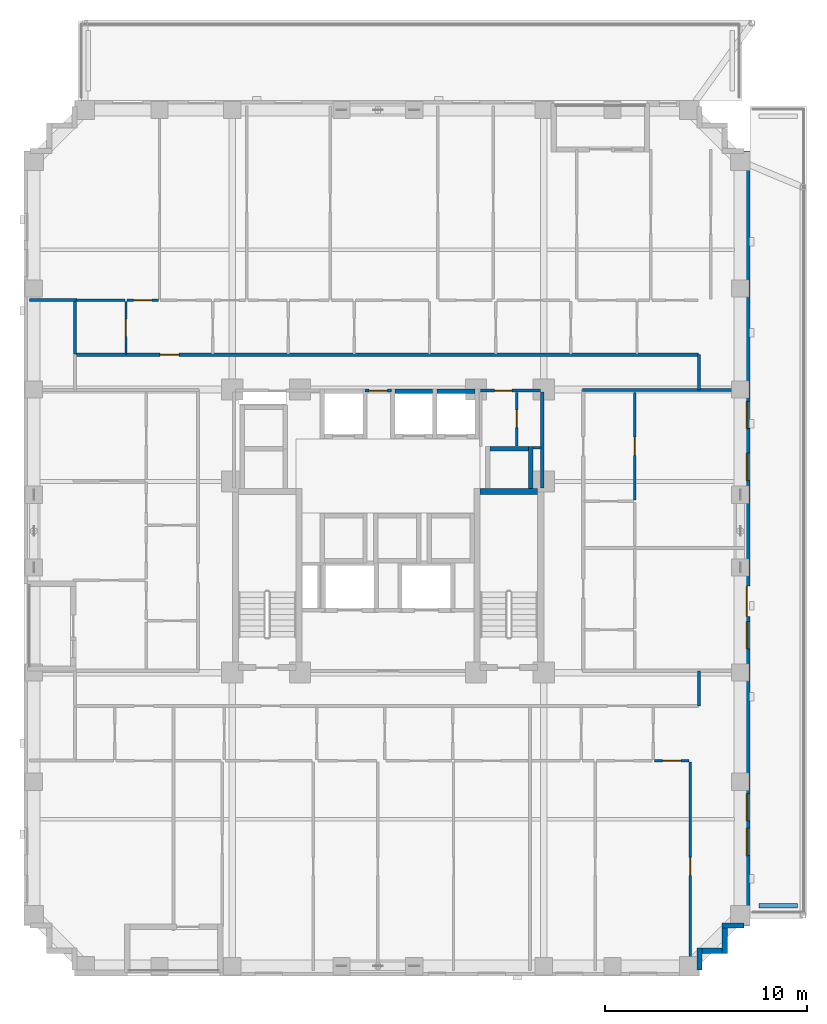
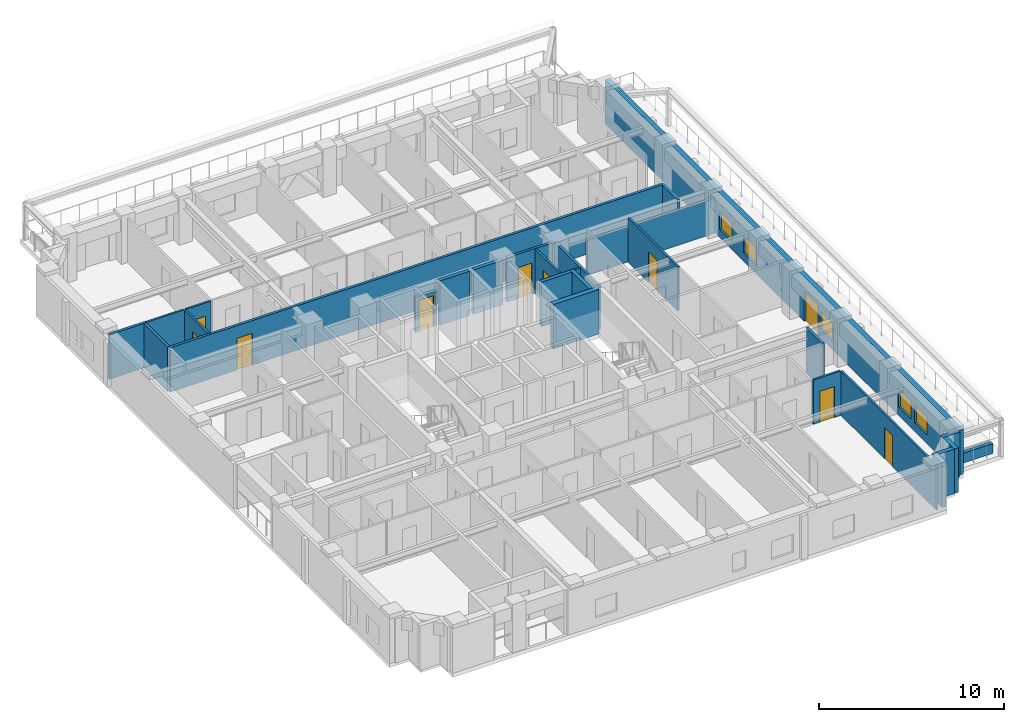
# One storey, part 10 of 16: 28 walls, 10 doors, 5 windows, 15 openings.
"""IFC4 building model written with IfcOpenShell, lengths in metres."""

from ifc_helpers import new_model, si_unit, derived_unit, direction, frame, frame_2d, origin, place, context, subcontext, project, spatial, rectangle, extrude, material, layer, layer_set, type_object, element, fill, save


model = new_model("IFC4")

# Units and contexts
model_context = context("Model", 3, precision=1e-05, world=origin(), true_north=direction((0.0, 1.0)))
body_context = subcontext(model_context, "Body", "Model", "MODEL_VIEW")
ifc_project = project(units=[si_unit("LENGTHUNIT", "METRE"), si_unit("AREAUNIT", "SQUARE_METRE"), si_unit("VOLUMEUNIT", "CUBIC_METRE"), si_unit("PLANEANGLEUNIT", "RADIAN"), si_unit("MASSUNIT", "GRAM", prefix="KILO"), derived_unit("THERMALTRANSMITTANCEUNIT", [(si_unit("MASSUNIT", "GRAM", prefix="KILO"), 1), (si_unit("TIMEUNIT", "SECOND"), -3), (si_unit("THERMODYNAMICTEMPERATUREUNIT", "KELVIN"), -1)])], contexts=[model_context])

# Site, building, storey
site_placement = place(None, origin())
site = spatial("IfcSite", under=ifc_project, at=site_placement, CompositionType="ELEMENT")
building_placement = place(site_placement, origin())
building = spatial("IfcBuilding", under=site, at=building_placement, Name="Korrvale Station Residences", CompositionType="ELEMENT")
storey_placement = place(building_placement, frame((0.0, 0.0, 75.10009765625)))
storey = spatial("IfcBuildingStorey", under=building, at=storey_placement, Name="L20", CompositionType="ELEMENT", Elevation=75.10009765625)

# Walls
ifc_material_1 = material(Name="Concrete C60/75", Category="concrete")
ifc_layer_1 = layer(ifc_material_1, 0.300048828125, Name="Concrete C60/75")
ifc_layer_set_1 = layer_set([ifc_layer_1], Name="Concrete C60/75")
wall_type_1 = type_object("IfcWallType", Name="WAL-CORE-300-C60", PredefinedType="SHEAR", material=ifc_layer_set_1)
wall_1_placement = place(storey_placement, frame((30.050048828125, 23.949951171875, 0.0), z_axis=(0.0, 0.0, 1.0), x_axis=(1.0, 0.0, 0.0)))
element("IfcWall", 1, at=wall_1_placement, inside=storey, type_object=wall_type_1, Name="L20 ST-2 Core Shear Wall North", PredefinedType="SHEAR", context=body_context, shape_type="SweptSolid", body=[
    extrude(rectangle(XDim=2.849853515625, YDim=0.300048828125, at=frame_2d((1.4248046875, 0.0))), origin(), (0.0, 0.0, 1.0), 2.93994140625),
])
ifc_material_2 = material(Name="Precast concrete C45/55", Category="concrete")
ifc_layer_2 = layer(ifc_material_2, 0.260009765625, Name="Precast concrete C45/55")
ifc_layer_set_2 = layer_set([ifc_layer_2], Name="Precast concrete C45/55")
wall_type_2 = type_object("IfcWallType", Name="WAL-EXT-LOG260", PredefinedType="SOLIDWALL", material=ifc_layer_set_2)
wall_2_placement = place(storey_placement, frame((43.097900390625, 2.5, 0.0), z_axis=(0.0, 0.0, 1.0), x_axis=(-1.0, 0.0, 0.0)))
element("IfcWall", 2, at=wall_2_placement, inside=storey, type_object=wall_type_2, Name="L20 Serrated Corner Precast Step SE-1", PredefinedType="SOLIDWALL", context=body_context, shape_type="SweptSolid", body=[
    extrude(rectangle(XDim=1.077880859375, YDim=0.260009765625, at=frame_2d((0.5390625, 0.0))), origin(), (0.0, 0.0, 1.0), 2.93994140625),
])
wall_3_placement = place(storey_placement, frame((42.14990234375, 2.367919921875, 0.0), z_axis=(0.0, 0.0, 1.0), x_axis=(0.0, -1.0, 0.0)))
element("IfcWall", 3, at=wall_3_placement, inside=storey, type_object=wall_type_2, Name="L20 Serrated Corner Precast Step SE-2", PredefinedType="SOLIDWALL", context=body_context, shape_type="SweptSolid", body=[
    extrude(rectangle(XDim=1.247802734375, YDim=0.260009765625, at=frame_2d((0.6240234375, 0.0))), origin(), (0.0, 0.0, 1.0), 2.93994140625),
])
wall_4_placement = place(storey_placement, frame((42.01806640625, 1.25, 0.0), z_axis=(0.0, 0.0, 1.0), x_axis=(-1.0, 0.0, 0.0)))
element("IfcWall", 4, at=wall_4_placement, inside=storey, type_object=wall_type_2, Name="L20 Serrated Corner Precast Step SE-3", PredefinedType="SOLIDWALL", context=body_context, shape_type="SweptSolid", body=[
    extrude(rectangle(XDim=0.986083984375, YDim=0.260009765625, at=frame_2d((0.4931640625, 0.0))), origin(), (0.0, 0.0, 1.0), 2.93994140625),
])
wall_5_placement = place(storey_placement, frame((40.89990234375, 1.3798828125, 0.0), z_axis=(0.0, 0.0, 1.0), x_axis=(0.0, -1.0, 0.0)))
element("IfcWall", 5, at=wall_5_placement, inside=storey, type_object=wall_type_2, Name="L20 Serrated Corner Precast Step SE-4", PredefinedType="SOLIDWALL", context=body_context, shape_type="SweptSolid", body=[
    extrude(rectangle(XDim=1.077880859375, YDim=0.260009765625, at=frame_2d((0.5390625, 0.0))), origin(), (0.0, 0.0, 1.0), 2.93994140625),
])

# Wall, openings, door, windows
ifc_layer_3 = layer(ifc_material_2, 0.300048828125, Name="Precast concrete C45/55")
ifc_layer_set_3 = layer_set([ifc_layer_3], Name="Precast concrete C45/55")
wall_type_3 = type_object("IfcWallType", Name="WAL-EXT-PC300", PredefinedType="SOLIDWALL", material=ifc_layer_set_3)
wall_6_placement = place(storey_placement, frame((43.25, 40.800048828125, 0.0), z_axis=(0.0, 0.0, 1.0), x_axis=(0.0, -1.0, 0.0)))
wall_6 = element("IfcWall", 6, at=wall_6_placement, inside=storey, type_object=wall_type_3, Name="L20 East Exterior Precast Wall 1", PredefinedType="SOLIDWALL", context=body_context, shape_type="SweptSolid", body=[
    extrude(rectangle(XDim=38.300048828125, YDim=0.300048828125, at=frame_2d((19.14990234375, 0.0))), origin(), (0.0, 0.0, 1.0), 2.93994140625),
])
opening_1_placement = place(wall_6_placement, frame((21.52001953125, 0.0, 0.0)))
opening_1 = element("IfcOpeningElement", 7, at=opening_1_placement, cuts=wall_6, Name="Opening TD-01", PredefinedType="OPENING", context=body_context, shape_type="SweptSolid", body=[
    extrude(rectangle(XDim=1.5, YDim=1.98193359375, at=frame_2d((0.75, 0.990966796875))), frame((0.0, 0.16015625, 0.0), z_axis=(0.0, -1.0, 0.0), x_axis=(1.0, 0.0, 0.0)), (0.0, 0.0, 1.0), 0.320068359375),
])
opening_2_placement = place(wall_6_placement, frame((33.4951171875, 0.0, 0.550048828125)))
opening_2 = element("IfcOpeningElement", 8, at=opening_2_placement, cuts=wall_6, Name="Opening W-10", PredefinedType="OPENING", context=body_context, shape_type="SweptSolid", body=[
    extrude(rectangle(XDim=1.35009765625, YDim=1.199951171875, at=frame_2d((0.675048828125, 0.60009765625))), frame((0.0, 0.16015625, 0.0), z_axis=(0.0, -1.0, 0.0), x_axis=(1.0, 0.0, 0.0)), (0.0, 0.0, 1.0), 0.320068359375),
])
opening_3_placement = place(wall_6_placement, frame((31.784912109375, 0.0, 0.550048828125)))
opening_3 = element("IfcOpeningElement", 9, at=opening_3_placement, cuts=wall_6, Name="Opening W-10", PredefinedType="OPENING", context=body_context, shape_type="SweptSolid", body=[
    extrude(rectangle(XDim=1.35009765625, YDim=1.199951171875, at=frame_2d((0.675048828125, 0.60009765625))), frame((0.0, 0.16015625, 0.0), z_axis=(0.0, -1.0, 0.0), x_axis=(1.0, 0.0, 0.0)), (0.0, 0.0, 1.0), 0.320068359375),
])
opening_4_placement = place(wall_6_placement, frame((23.280029296875, 0.0, 0.550048828125)))
opening_4 = element("IfcOpeningElement", 10, at=opening_4_placement, cuts=wall_6, Name="Opening W-10", PredefinedType="OPENING", context=body_context, shape_type="SweptSolid", body=[
    extrude(rectangle(XDim=1.35009765625, YDim=1.199951171875, at=frame_2d((0.675048828125, 0.60009765625))), frame((0.0, 0.16015625, 0.0), z_axis=(0.0, -1.0, 0.0), x_axis=(1.0, 0.0, 0.0)), (0.0, 0.0, 1.0), 0.320068359375),
])
opening_5_placement = place(wall_6_placement, frame((14.949951171875, 0.0, 0.550048828125)))
opening_5 = element("IfcOpeningElement", 11, at=opening_5_placement, cuts=wall_6, Name="Opening W-10", PredefinedType="OPENING", context=body_context, shape_type="SweptSolid", body=[
    extrude(rectangle(XDim=1.35009765625, YDim=1.199951171875, at=frame_2d((0.675048828125, 0.60009765625))), frame((0.0, 0.16015625, 0.0), z_axis=(0.0, -1.0, 0.0), x_axis=(1.0, 0.0, 0.0)), (0.0, 0.0, 1.0), 0.320068359375),
])
opening_6_placement = place(wall_6_placement, frame((12.385009765625, 0.0, 0.550048828125)))
opening_6 = element("IfcOpeningElement", 12, at=opening_6_placement, cuts=wall_6, Name="Opening W-10", PredefinedType="OPENING", context=body_context, shape_type="SweptSolid", body=[
    extrude(rectangle(XDim=1.35009765625, YDim=1.199951171875, at=frame_2d((0.675048828125, 0.60009765625))), frame((0.0, 0.16015625, 0.0), z_axis=(0.0, -1.0, 0.0), x_axis=(1.0, 0.0, 0.0)), (0.0, 0.0, 1.0), 0.320068359375),
])
ifc_material_3 = material(Name="Exterior thermally broken aluminium glazed terrace double door", Category="aluminium")
door_type_1 = type_object("IfcDoorType", Name="DR-EXT-TER", OperationType="DOUBLE_SWING_LEFT", PredefinedType="DOOR", material=ifc_material_3)
door_1_placement = place(opening_1_placement, origin())
door_1 = element("IfcDoor", 13, at=door_1_placement, inside=storey, type_object=door_type_1, Name="L20 East Setback Terrace Door", OperationType="DOUBLE_SWING_LEFT", OverallHeight=1.98193359375, OverallWidth=1.5, PredefinedType="DOOR", context=body_context, shape_type="SweptSolid", body=[
    extrude(rectangle(XDim=1.5, YDim=1.98193359375, at=frame_2d((0.75, 0.990966796875))), frame((0.0, 0.02490234375, 0.0), z_axis=(0.0, -1.0, 0.0), x_axis=(1.0, 0.0, 0.0)), (0.0, 0.0, 1.0), 0.050048828125),
])
fill(opening_1, door_1)
ifc_material_4 = material(Name="Thermally broken aluminium frame with triple low-e glazing", Category="aluminium")
window_type = type_object("IfcWindowType", Name="WIN-W10", PartitioningType="SINGLE_PANEL", PredefinedType="WINDOW", material=ifc_material_4)
window_1_placement = place(opening_2_placement, origin())
window_1 = element("IfcWindow", 14, at=window_1_placement, inside=storey, type_object=window_type, Name="L20 Punched Window 08", OverallHeight=1.199951171875, OverallWidth=1.35009765625, PartitioningType="SINGLE_PANEL", PredefinedType="WINDOW", context=body_context, shape_type="SweptSolid", body=[
    extrude(rectangle(XDim=1.35009765625, YDim=1.199951171875, at=frame_2d((0.675048828125, 0.60009765625))), frame((0.0, 0.030029296875, 0.0), z_axis=(0.0, -1.0, 0.0), x_axis=(1.0, 0.0, 0.0)), (0.0, 0.0, 1.0), 0.06005859375),
])
fill(opening_2, window_1)
window_2_placement = place(opening_3_placement, origin())
window_2 = element("IfcWindow", 15, at=window_2_placement, inside=storey, type_object=window_type, Name="L20 Punched Window 09", OverallHeight=1.199951171875, OverallWidth=1.35009765625, PartitioningType="SINGLE_PANEL", PredefinedType="WINDOW", context=body_context, shape_type="SweptSolid", body=[
    extrude(rectangle(XDim=1.35009765625, YDim=1.199951171875, at=frame_2d((0.675048828125, 0.60009765625))), frame((0.0, 0.030029296875, 0.0), z_axis=(0.0, -1.0, 0.0), x_axis=(1.0, 0.0, 0.0)), (0.0, 0.0, 1.0), 0.06005859375),
])
fill(opening_3, window_2)
window_3_placement = place(opening_4_placement, origin())
window_3 = element("IfcWindow", 16, at=window_3_placement, inside=storey, type_object=window_type, Name="L20 Punched Window 19", OverallHeight=1.199951171875, OverallWidth=1.35009765625, PartitioningType="SINGLE_PANEL", PredefinedType="WINDOW", context=body_context, shape_type="SweptSolid", body=[
    extrude(rectangle(XDim=1.35009765625, YDim=1.199951171875, at=frame_2d((0.675048828125, 0.60009765625))), frame((0.0, 0.030029296875, 0.0), z_axis=(0.0, -1.0, 0.0), x_axis=(1.0, 0.0, 0.0)), (0.0, 0.0, 1.0), 0.06005859375),
])
fill(opening_4, window_3)
window_4_placement = place(opening_5_placement, origin())
window_4 = element("IfcWindow", 17, at=window_4_placement, inside=storey, type_object=window_type, Name="L20 Punched Window 20", OverallHeight=1.199951171875, OverallWidth=1.35009765625, PartitioningType="SINGLE_PANEL", PredefinedType="WINDOW", context=body_context, shape_type="SweptSolid", body=[
    extrude(rectangle(XDim=1.35009765625, YDim=1.199951171875, at=frame_2d((0.675048828125, 0.60009765625))), frame((0.0, 0.030029296875, 0.0), z_axis=(0.0, -1.0, 0.0), x_axis=(1.0, 0.0, 0.0)), (0.0, 0.0, 1.0), 0.06005859375),
])
fill(opening_5, window_4)
window_5_placement = place(opening_6_placement, origin())
window_5 = element("IfcWindow", 18, at=window_5_placement, inside=storey, type_object=window_type, Name="L20 Punched Window 21", OverallHeight=1.199951171875, OverallWidth=1.35009765625, PartitioningType="SINGLE_PANEL", PredefinedType="WINDOW", context=body_context, shape_type="SweptSolid", body=[
    extrude(rectangle(XDim=1.35009765625, YDim=1.199951171875, at=frame_2d((0.675048828125, 0.60009765625))), frame((0.0, 0.030029296875, 0.0), z_axis=(0.0, -1.0, 0.0), x_axis=(1.0, 0.0, 0.0)), (0.0, 0.0, 1.0), 0.06005859375),
])
fill(opening_6, window_5)

# Walls
ifc_layer_4 = layer(ifc_material_2, 0.219970703125, Name="Precast concrete C45/55")
ifc_layer_set_4 = layer_set([ifc_layer_4], Name="Precast concrete C45/55")
wall_type_4 = type_object("IfcWallType", Name="WAL-PAR-220", PredefinedType="PARAPET", material=ifc_layer_set_4)
wall_7_placement = place(storey_placement, frame((43.85009765625, 3.47998046875, 0.0), z_axis=(0.0, 0.0, 1.0), x_axis=(1.0, 0.0, 0.0)))
element("IfcWall", 19, at=wall_7_placement, inside=storey, type_object=wall_type_4, Name="L20 Terrace Planter Parapet TER-L20-E-S", PredefinedType="PARAPET", context=body_context, shape_type="SweptSolid", body=[
    extrude(rectangle(XDim=1.89990234375, YDim=0.219970703125, at=frame_2d((0.949951171875, 0.0))), origin(), (0.0, 0.0, 1.0), 0.64990234375),
])
ifc_material_5 = material(Name="Acoustic steel-stud gypsum board partition", Category="steel")
ifc_layer_5 = layer(ifc_material_5, 0.1201171875, Name="Acoustic steel-stud gypsum board partition")
ifc_layer_set_5 = layer_set([ifc_layer_5], Name="Acoustic steel-stud gypsum board partition")
wall_type_5 = type_object("IfcWallType", Name="WAL-PART-125", PredefinedType="PARTITIONING", material=ifc_layer_set_5)
wall_8_placement = place(storey_placement, frame((32.679931640625, 26.1201171875, 0.0), z_axis=(0.0, 0.0, 1.0), x_axis=(1.0, 0.0, 0.0)))
element("IfcWall", 20, at=wall_8_placement, inside=storey, type_object=wall_type_5, Name="L20 Core Partition CW-CS-S", PredefinedType="PARTITIONING", context=body_context, shape_type="SweptSolid", body=[
    extrude(rectangle(XDim=0.380126953125, YDim=0.1201171875, at=frame_2d((0.18994140625, 0.0))), origin(), (0.0, 0.0, 1.0), 2.93994140625),
])

# Wall, opening, door
wall_9_placement = place(storey_placement, frame((31.860107421875, 26.199951171875, 0.0), z_axis=(0.0, 0.0, 1.0), x_axis=(0.0, 1.0, 0.0)))
wall_9 = element("IfcWall", 21, at=wall_9_placement, inside=storey, type_object=wall_type_5, Name="L20 Core Partition CW-CS-MID", PredefinedType="PARTITIONING", context=body_context, shape_type="SweptSolid", body=[
    extrude(rectangle(XDim=2.66015625, YDim=0.1201171875, at=frame_2d((1.330078125, 0.0))), origin(), (0.0, 0.0, 1.0), 2.93994140625),
])
opening_7_placement = place(wall_9_placement, frame((0.919921875, 0.0, 0.0)))
opening_7 = element("IfcOpeningElement", 22, at=opening_7_placement, cuts=wall_9, Name="Opening DB-860", PredefinedType="OPENING", context=body_context, shape_type="SweptSolid", body=[
    extrude(rectangle(XDim=0.860107421875, YDim=2.050048828125, at=frame_2d((0.43017578125, 1.02490234375))), frame((0.0, 0.070068359375, 0.0), z_axis=(0.0, -1.0, 0.0), x_axis=(1.0, 0.0, 0.0)), (0.0, 0.0, 1.0), 0.14013671875),
])
ifc_material_6 = material(Name="Moisture-resistant solid-core bathroom door", Category="timber")
door_type_2 = type_object("IfcDoorType", Name="DR-BATH-860", OperationType="NOTDEFINED", PredefinedType="DOOR", material=ifc_material_6)
door_2_placement = place(opening_7_placement, origin())
door_2 = element("IfcDoor", 23, at=door_2_placement, inside=storey, type_object=door_type_2, Name="L20 Metering Inner Door", OperationType="SINGLE_SWING_RIGHT", OverallHeight=2.050048828125, OverallWidth=0.860107421875, PredefinedType="DOOR", context=body_context, shape_type="SweptSolid", body=[
    extrude(rectangle(XDim=0.860107421875, YDim=2.050048828125, at=frame_2d((0.43017578125, 1.02490234375))), frame((0.0, 0.02490234375, 0.0), z_axis=(0.0, -1.0, 0.0), x_axis=(1.0, 0.0, 0.0)), (0.0, 0.0, 1.0), 0.050048828125),
])
fill(opening_7, door_2)

wall_10_placement = place(storey_placement, frame((38.676025390625, 10.64990234375, 0.0), z_axis=(0.0, 0.0, 1.0), x_axis=(1.0, 0.0, 0.0)))
wall_10 = element("IfcWall", 24, at=wall_10_placement, inside=storey, type_object=wall_type_5, Name="L20 Suite Partition U03-H24", PredefinedType="PARTITIONING", context=body_context, shape_type="SweptSolid", body=[
    extrude(rectangle(XDim=1.7138671875, YDim=0.1201171875, at=frame_2d((0.85693359375, 0.0))), origin(), (0.0, 0.0, 1.0), 2.93994140625),
])
opening_8_placement = place(wall_10_placement, frame((0.406982421875, 0.0, 0.0)))
opening_8 = element("IfcOpeningElement", 25, at=opening_8_placement, cuts=wall_10, Name="Opening DI-900", PredefinedType="OPENING", context=body_context, shape_type="SweptSolid", body=[
    extrude(rectangle(XDim=0.89990234375, YDim=2.050048828125, at=frame_2d((0.449951171875, 1.02490234375))), frame((0.0, 0.070068359375, 0.0), z_axis=(0.0, -1.0, 0.0), x_axis=(1.0, 0.0, 0.0)), (0.0, 0.0, 1.0), 0.14013671875),
])
ifc_material_7 = material(Name="Painted solid-core timber interior room door", Category="wood")
door_type_3 = type_object("IfcDoorType", Name="DR-INT-900", OperationType="NOTDEFINED", PredefinedType="DOOR", material=ifc_material_7)
door_3_placement = place(opening_8_placement, origin())
door_3 = element("IfcDoor", 26, at=door_3_placement, inside=storey, type_object=door_type_3, Name="L20 Studio Apartment L20-U03 Utility and Laundry Room Door", OperationType="SINGLE_SWING_LEFT", OverallHeight=2.050048828125, OverallWidth=0.89990234375, PredefinedType="DOOR", context=body_context, shape_type="SweptSolid", body=[
    extrude(rectangle(XDim=0.89990234375, YDim=2.050048828125, at=frame_2d((0.449951171875, 1.02490234375))), frame((0.0, 0.02490234375, 0.0), z_axis=(0.0, -1.0, 0.0), x_axis=(1.0, 0.0, 0.0)), (0.0, 0.0, 1.0), 0.050048828125),
])
fill(opening_8, door_3)

wall_11_placement = place(storey_placement, frame((40.449951171875, 0.280029296875, 0.0), z_axis=(0.0, 0.0, 1.0), x_axis=(0.0, 1.0, 0.0)))
wall_11 = element("IfcWall", 27, at=wall_11_placement, inside=storey, type_object=wall_type_5, Name="L20 Suite Partition U03-V45", PredefinedType="PARTITIONING", context=body_context, shape_type="SweptSolid", body=[
    extrude(rectangle(XDim=10.31005859375, YDim=0.1201171875, at=frame_2d((5.155029296875, 0.0))), origin(), (0.0, 0.0, 1.0), 2.93994140625),
])
opening_9_placement = place(wall_11_placement, frame((4.68994140625, 0.0, 0.0)))
opening_9 = element("IfcOpeningElement", 28, at=opening_9_placement, cuts=wall_11, Name="Opening DI-900", PredefinedType="OPENING", context=body_context, shape_type="SweptSolid", body=[
    extrude(rectangle(XDim=0.89990234375, YDim=2.050048828125, at=frame_2d((0.449951171875, 1.02490234375))), frame((0.0, 0.070068359375, 0.0), z_axis=(0.0, -1.0, 0.0), x_axis=(1.0, 0.0, 0.0)), (0.0, 0.0, 1.0), 0.14013671875),
])
door_4_placement = place(opening_9_placement, origin())
door_4 = element("IfcDoor", 29, at=door_4_placement, inside=storey, type_object=door_type_3, Name="L20 Studio Apartment L20-U03 Studio Living Room Door", OperationType="SINGLE_SWING_LEFT", OverallHeight=2.050048828125, OverallWidth=0.89990234375, PredefinedType="DOOR", context=body_context, shape_type="SweptSolid", body=[
    extrude(rectangle(XDim=0.89990234375, YDim=2.050048828125, at=frame_2d((0.449951171875, 1.02490234375))), frame((0.0, 0.02490234375, 0.0), z_axis=(0.0, -1.0, 0.0), x_axis=(1.0, 0.0, 0.0)), (0.0, 0.0, 1.0), 0.050048828125),
])
fill(opening_9, door_4)

wall_12_placement = place(storey_placement, frame((12.5400390625, 30.760009765625, 0.0), z_axis=(0.0, 0.0, 1.0), x_axis=(0.0, 1.0, 0.0)))
wall_12 = element("IfcWall", 30, at=wall_12_placement, inside=storey, type_object=wall_type_5, Name="L20 Suite Partition U04-V01", PredefinedType="PARTITIONING", context=body_context, shape_type="SweptSolid", body=[
    extrude(rectangle(XDim=2.60009765625, YDim=0.1201171875, at=frame_2d((1.300048828125, 0.0))), origin(), (0.0, 0.0, 1.0), 2.93994140625),
])
opening_10_placement = place(wall_12_placement, frame((0.8701171875, 0.0, 0.0)))
opening_10 = element("IfcOpeningElement", 31, at=opening_10_placement, cuts=wall_12, Name="Opening DB-860", PredefinedType="OPENING", context=body_context, shape_type="SweptSolid", body=[
    extrude(rectangle(XDim=0.860107421875, YDim=2.050048828125, at=frame_2d((0.43017578125, 1.02490234375))), frame((0.0, 0.070068359375, 0.0), z_axis=(0.0, -1.0, 0.0), x_axis=(1.0, 0.0, 0.0)), (0.0, 0.0, 1.0), 0.14013671875),
])
door_5_placement = place(opening_10_placement, origin())
door_5 = element("IfcDoor", 32, at=door_5_placement, inside=storey, type_object=door_type_2, Name="L20 Apartment 3BR L20-U04 Bathroom Door", OperationType="SINGLE_SWING_RIGHT", OverallHeight=2.050048828125, OverallWidth=0.860107421875, PredefinedType="DOOR", context=body_context, shape_type="SweptSolid", body=[
    extrude(rectangle(XDim=0.860107421875, YDim=2.050048828125, at=frame_2d((0.43017578125, 1.02490234375))), frame((0.0, 0.02490234375, 0.0), z_axis=(0.0, -1.0, 0.0), x_axis=(1.0, 0.0, 0.0)), (0.0, 0.0, 1.0), 0.050048828125),
])
fill(opening_10, door_5)

# Wall
wall_13_placement = place(storey_placement, frame((10.080078125, 33.419921875, 0.0), z_axis=(0.0, 0.0, 1.0), x_axis=(1.0, 0.0, 0.0)))
element("IfcWall", 33, at=wall_13_placement, inside=storey, type_object=wall_type_5, Name="L20 Suite Partition U04-H09", PredefinedType="PARTITIONING", context=body_context, shape_type="SweptSolid", body=[
    extrude(rectangle(XDim=2.39990234375, YDim=0.1201171875, at=frame_2d((1.199951171875, 0.0))), origin(), (0.0, 0.0, 1.0), 2.93994140625),
])

# Wall, opening, door
wall_14_placement = place(storey_placement, frame((12.60009765625, 33.419921875, 0.0), z_axis=(0.0, 0.0, 1.0), x_axis=(1.0, 0.0, 0.0)))
wall_14 = element("IfcWall", 34, at=wall_14_placement, inside=storey, type_object=wall_type_5, Name="L20 Suite Partition U04-H19", PredefinedType="PARTITIONING", context=body_context, shape_type="SweptSolid", body=[
    extrude(rectangle(XDim=1.539794921875, YDim=0.1201171875, at=frame_2d((0.77001953125, 0.0))), origin(), (0.0, 0.0, 1.0), 2.93994140625),
])
opening_11_placement = place(wall_14_placement, frame((0.320068359375, 0.0, 0.0)))
opening_11 = element("IfcOpeningElement", 35, at=opening_11_placement, cuts=wall_14, Name="Opening DI-900", PredefinedType="OPENING", context=body_context, shape_type="SweptSolid", body=[
    extrude(rectangle(XDim=0.89990234375, YDim=2.050048828125, at=frame_2d((0.449951171875, 1.02490234375))), frame((0.0, 0.070068359375, 0.0), z_axis=(0.0, -1.0, 0.0), x_axis=(1.0, 0.0, 0.0)), (0.0, 0.0, 1.0), 0.14013671875),
])
door_6_placement = place(opening_11_placement, origin())
door_6 = element("IfcDoor", 36, at=door_6_placement, inside=storey, type_object=door_type_3, Name="L20 Apartment 3BR L20-U04 Kitchen Door", OperationType="SINGLE_SWING_RIGHT", OverallHeight=2.050048828125, OverallWidth=0.89990234375, PredefinedType="DOOR", context=body_context, shape_type="SweptSolid", body=[
    extrude(rectangle(XDim=0.89990234375, YDim=2.050048828125, at=frame_2d((0.449951171875, 1.02490234375))), frame((0.0, 0.02490234375, 0.0), z_axis=(0.0, -1.0, 0.0), x_axis=(1.0, 0.0, 0.0)), (0.0, 0.0, 1.0), 0.050048828125),
])
fill(opening_11, door_6)

wall_15_placement = place(storey_placement, frame((37.699951171875, 23.527099609375, 0.0), z_axis=(0.0, 0.0, 1.0), x_axis=(0.0, 1.0, 0.0)))
wall_15 = element("IfcWall", 37, at=wall_15_placement, inside=storey, type_object=wall_type_5, Name="L20 Suite Partition U07-V12", PredefinedType="PARTITIONING", context=body_context, shape_type="SweptSolid", body=[
    extrude(rectangle(XDim=5.3330078125, YDim=0.1201171875, at=frame_2d((2.66650390625, 0.0))), origin(), (0.0, 0.0, 1.0), 2.93994140625),
])
opening_12_placement = place(wall_15_placement, frame((2.216064453125, 0.0, 0.0)))
opening_12 = element("IfcOpeningElement", 38, at=opening_12_placement, cuts=wall_15, Name="Opening DI-900", PredefinedType="OPENING", context=body_context, shape_type="SweptSolid", body=[
    extrude(rectangle(XDim=0.89990234375, YDim=2.050048828125, at=frame_2d((0.449951171875, 1.02490234375))), frame((0.0, 0.070068359375, 0.0), z_axis=(0.0, -1.0, 0.0), x_axis=(1.0, 0.0, 0.0)), (0.0, 0.0, 1.0), 0.14013671875),
])
door_7_placement = place(opening_12_placement, origin())
door_7 = element("IfcDoor", 39, at=door_7_placement, inside=storey, type_object=door_type_3, Name="L20 Studio Apartment L20-U07 Kitchen Door", OperationType="SINGLE_SWING_LEFT", OverallHeight=2.050048828125, OverallWidth=0.89990234375, PredefinedType="DOOR", context=body_context, shape_type="SweptSolid", body=[
    extrude(rectangle(XDim=0.89990234375, YDim=2.050048828125, at=frame_2d((0.449951171875, 1.02490234375))), frame((0.0, 0.02490234375, 0.0), z_axis=(0.0, -1.0, 0.0), x_axis=(1.0, 0.0, 0.0)), (0.0, 0.0, 1.0), 0.050048828125),
])
fill(opening_12, door_7)

# Wall
ifc_material_8 = material(Name="Fire-rated twin-stud gypsum and mineral wool shaftwall assembly", Category="gypsum")
ifc_layer_6 = layer(ifc_material_8, 0.159912109375, Name="Fire-rated twin-stud gypsum and mineral wool shaftwall assembly")
ifc_layer_set_6 = layer_set([ifc_layer_6], Name="Fire-rated twin-stud gypsum and mineral wool shaftwall assembly")
wall_type_6 = type_object("IfcWallType", Name="WAL-PART-200", PredefinedType="PARTITIONING", material=ifc_layer_set_6)
wall_16_placement = place(storey_placement, frame((33.1201171875, 24.1201171875, 0.0), z_axis=(0.0, 0.0, 1.0), x_axis=(0.0, 1.0, 0.0)))
element("IfcWall", 40, at=wall_16_placement, inside=storey, type_object=wall_type_6, Name="L20 Core Partition CW-E-N", PredefinedType="PARTITIONING", context=body_context, shape_type="SweptSolid", body=[
    extrude(rectangle(XDim=4.759765625, YDim=0.159912109375, at=frame_2d((2.3798828125, 0.0))), origin(), (0.0, 0.0, 1.0), 2.93994140625),
])

# Wall, opening, door
wall_17_placement = place(storey_placement, frame((24.360107421875, 28.949951171875, 0.0), z_axis=(0.0, 0.0, 1.0), x_axis=(1.0, 0.0, 0.0)))
wall_17 = element("IfcWall", 41, at=wall_17_placement, inside=storey, type_object=wall_type_6, Name="L20 Core Partition CW-LLOB-N", PredefinedType="PARTITIONING", context=body_context, shape_type="SweptSolid", body=[
    extrude(rectangle(XDim=1.31982421875, YDim=0.159912109375, at=frame_2d((0.659912109375, 0.0))), origin(), (0.0, 0.0, 1.0), 2.308837890625),
])
opening_13_placement = place(wall_17_placement, frame((0.2099609375, 0.0, 0.0)))
opening_13 = element("IfcOpeningElement", 42, at=opening_13_placement, cuts=wall_17, Name="Opening DI-900", PredefinedType="OPENING", context=body_context, shape_type="SweptSolid", body=[
    extrude(rectangle(XDim=0.89990234375, YDim=2.050048828125, at=frame_2d((0.449951171875, 1.02490234375))), frame((0.0, 0.08984375, 0.0), z_axis=(0.0, -1.0, 0.0), x_axis=(1.0, 0.0, 0.0)), (0.0, 0.0, 1.0), 0.179931640625),
])
door_8_placement = place(opening_13_placement, origin())
door_8 = element("IfcDoor", 43, at=door_8_placement, inside=storey, type_object=door_type_3, Name="L20 Central Hallway North Passage Door", OperationType="SINGLE_SWING_RIGHT", OverallHeight=2.050048828125, OverallWidth=0.89990234375, PredefinedType="DOOR", context=body_context, shape_type="SweptSolid", body=[
    extrude(rectangle(XDim=0.89990234375, YDim=2.050048828125, at=frame_2d((0.449951171875, 1.02490234375))), frame((0.0, 0.02490234375, 0.0), z_axis=(0.0, -1.0, 0.0), x_axis=(1.0, 0.0, 0.0)), (0.0, 0.0, 1.0), 0.050048828125),
])
fill(opening_13, door_8)

wall_18_placement = place(storey_placement, frame((30.080078125, 28.949951171875, 0.0), z_axis=(0.0, 0.0, 1.0), x_axis=(1.0, 0.0, 0.0)))
wall_18 = element("IfcWall", 44, at=wall_18_placement, inside=storey, type_object=wall_type_6, Name="L20 Core Partition CW-CS-N", PredefinedType="PARTITIONING", context=body_context, shape_type="SweptSolid", body=[
    extrude(rectangle(XDim=2.9599609375, YDim=0.159912109375, at=frame_2d((1.47998046875, 0.0))), origin(), (0.0, 0.0, 1.0), 2.93994140625),
])
opening_14_placement = place(wall_18_placement, frame((0.695068359375, 0.0, 0.0)))
opening_14 = element("IfcOpeningElement", 45, at=opening_14_placement, cuts=wall_18, Name="Opening DB-860", PredefinedType="OPENING", context=body_context, shape_type="SweptSolid", body=[
    extrude(rectangle(XDim=0.860107421875, YDim=2.050048828125, at=frame_2d((0.43017578125, 1.02490234375))), frame((0.0, 0.08984375, 0.0), z_axis=(0.0, -1.0, 0.0), x_axis=(1.0, 0.0, 0.0)), (0.0, 0.0, 1.0), 0.179931640625),
])
door_9_placement = place(opening_14_placement, origin())
door_9 = element("IfcDoor", 46, at=door_9_placement, inside=storey, type_object=door_type_2, Name="L20 Housekeeping Supply Door", OperationType="SINGLE_SWING_LEFT", OverallHeight=2.050048828125, OverallWidth=0.860107421875, PredefinedType="DOOR", context=body_context, shape_type="SweptSolid", body=[
    extrude(rectangle(XDim=0.860107421875, YDim=2.050048828125, at=frame_2d((0.43017578125, 1.02490234375))), frame((0.0, 0.02490234375, 0.0), z_axis=(0.0, -1.0, 0.0), x_axis=(1.0, 0.0, 0.0)), (0.0, 0.0, 1.0), 0.050048828125),
])
fill(opening_14, door_9)

# Walls
for number, where, z_axis, x_axis, name in (
    (47, (40.8798828125, 13.35009765625, 0.0), (0.0, 0.0, 1.0), (0.0, 1.0, 0.0), "L20 Corridor South East Cap"),
    (48, (40.8798828125, 28.97998046875, 0.0), (0.0, 0.0, 1.0), (0.0, 1.0, 0.0), "L20 Corridor North East Cap"),
):
    element("IfcWall", number, at=place(storey_placement, frame(where, z_axis=z_axis, x_axis=x_axis)), inside=storey, type_object=wall_type_6, Name=name, PredefinedType="PARTITIONING", context=body_context, shape_type="SweptSolid", body=[
        extrude(rectangle(XDim=1.739990234375, YDim=0.159912109375, at=frame_2d((0.8701171875, 0.0))), origin(), (0.0, 0.0, 1.0), 2.93994140625),
    ])
wall_19_placement = place(storey_placement, frame((35.110107421875, 28.97998046875, 0.0), z_axis=(0.0, 0.0, 1.0), x_axis=(1.0, 0.0, 0.0)))
element("IfcWall", 49, at=wall_19_placement, inside=storey, type_object=wall_type_6, Name="L20 East Wing North Corridor Wall", PredefinedType="PARTITIONING", context=body_context, shape_type="SweptSolid", body=[
    extrude(rectangle(XDim=8.010009765625, YDim=0.159912109375, at=frame_2d((4.0048828125, 0.0))), origin(), (0.0, 0.0, 1.0), 2.308837890625),
])
wall_20_placement = place(storey_placement, frame((7.780029296875, 33.419921875, 0.0), z_axis=(0.0, 0.0, 1.0), x_axis=(1.0, 0.0, 0.0)))
element("IfcWall", 50, at=wall_20_placement, inside=storey, type_object=wall_type_6, Name="L20 Corner Step Wall U04-L", PredefinedType="PARTITIONING", context=body_context, shape_type="SweptSolid", body=[
    extrude(rectangle(XDim=2.340087890625, YDim=0.159912109375, at=frame_2d((1.169921875, 0.0))), origin(), (0.0, 0.0, 1.0), 2.93994140625),
])
wall_21_placement = place(storey_placement, frame((10.02001953125, 30.760009765625, 0.0), z_axis=(0.0, 0.0, 1.0), x_axis=(0.0, 1.0, 0.0)))
element("IfcWall", 51, at=wall_21_placement, inside=storey, type_object=wall_type_6, Name="L20 Corner Step Cheek U04-L", PredefinedType="PARTITIONING", context=body_context, shape_type="SweptSolid", body=[
    extrude(rectangle(XDim=2.659912109375, YDim=0.159912109375, at=frame_2d((1.330078125, 0.0))), origin(), (0.0, 0.0, 1.0), 2.93994140625),
])

# Wall, opening, door
wall_22_placement = place(storey_placement, frame((10.050048828125, 30.719970703125, 0.0), z_axis=(0.0, 0.0, 1.0), x_axis=(1.0, 0.0, 0.0)))
wall_22 = element("IfcWall", 52, at=wall_22_placement, inside=storey, type_object=wall_type_6, Name="L20 Rated Corridor Wall N", PredefinedType="PARTITIONING", context=body_context, shape_type="SweptSolid", body=[
    extrude(rectangle(XDim=30.800048828125, YDim=0.159912109375, at=frame_2d((15.39990234375, 0.0))), origin(), (0.0, 0.0, 1.0), 2.93994140625),
])
opening_15_placement = place(wall_22_placement, frame((4.1650390625, 0.0, 0.0)))
opening_15 = element("IfcOpeningElement", 53, at=opening_15_placement, cuts=wall_22, Name="Opening UD-950", PredefinedType="OPENING", context=body_context, shape_type="SweptSolid", body=[
    extrude(rectangle(XDim=0.949951171875, YDim=2.10009765625, at=frame_2d((0.47509765625, 1.050048828125))), frame((0.0, 0.08984375, 0.0), z_axis=(0.0, -1.0, 0.0), x_axis=(1.0, 0.0, 0.0)), (0.0, 0.0, 1.0), 0.179931640625),
])
ifc_material_9 = material(Name="Solid-core acoustic oak apartment entrance door", Category="timber")
door_type_4 = type_object("IfcDoorType", Name="DR-UNIT-950", OperationType="NOTDEFINED", PredefinedType="DOOR", material=ifc_material_9)
door_10_placement = place(opening_15_placement, origin())
door_10 = element("IfcDoor", 54, at=door_10_placement, inside=storey, type_object=door_type_4, Name="L20 Apartment L20-U04 Entrance Door", OperationType="SINGLE_SWING_LEFT", OverallHeight=2.10009765625, OverallWidth=0.949951171875, PredefinedType="DOOR", context=body_context, shape_type="SweptSolid", body=[
    extrude(rectangle(XDim=0.949951171875, YDim=2.10009765625, at=frame_2d((0.47509765625, 1.050048828125))), frame((0.0, 0.02490234375, 0.0), z_axis=(0.0, -1.0, 0.0), x_axis=(1.0, 0.0, 0.0)), (0.0, 0.0, 1.0), 0.050048828125),
])
fill(opening_15, door_10)

# Walls
ifc_layer_7 = layer(ifc_material_1, 0.219970703125, Name="Concrete C60/75")
ifc_layer_set_7 = layer_set([ifc_layer_7], Name="Concrete C60/75")
wall_type_7 = type_object("IfcWallType", Name="WAL-SHAFT-220-C60", PredefinedType="SHEAR", material=ifc_layer_set_7)
wall_23_placement = place(storey_placement, frame((25.85009765625, 28.909912109375, 0.0), z_axis=(0.0, 0.0, 1.0), x_axis=(1.0, 0.0, 0.0)))
element("IfcWall", 55, at=wall_23_placement, inside=storey, type_object=wall_type_7, Name="L20 Elevator PL-2 Hoistway Wall North", PredefinedType="SHEAR", context=body_context, shape_type="SweptSolid", body=[
    extrude(rectangle(XDim=1.85986328125, YDim=0.219970703125, at=frame_2d((0.929931640625, 0.0))), origin(), (0.0, 0.0, 1.0), 2.93994140625),
])
wall_24_placement = place(storey_placement, frame((27.929931640625, 28.909912109375, 0.0), z_axis=(0.0, 0.0, 1.0), x_axis=(1.0, 0.0, 0.0)))
element("IfcWall", 56, at=wall_24_placement, inside=storey, type_object=wall_type_7, Name="L20 Elevator PL-3 Hoistway Wall North", PredefinedType="SHEAR", context=body_context, shape_type="SweptSolid", body=[
    extrude(rectangle(XDim=1.860107421875, YDim=0.219970703125, at=frame_2d((0.93017578125, 0.0))), origin(), (0.0, 0.0, 1.0), 2.93994140625),
])
wall_25_placement = place(storey_placement, frame((30.550048828125, 26.06005859375, 0.0), z_axis=(0.0, 0.0, 1.0), x_axis=(1.0, 0.0, 0.0)))
element("IfcWall", 57, at=wall_25_placement, inside=storey, type_object=wall_type_7, Name="L20 Elevator PH-3 Hoistway Wall North", PredefinedType="SHEAR", context=body_context, shape_type="SweptSolid", body=[
    extrude(rectangle(XDim=1.89990234375, YDim=0.219970703125, at=frame_2d((0.949951171875, 0.0))), origin(), (0.0, 0.0, 1.0), 2.93994140625),
])
wall_26_placement = place(storey_placement, frame((32.56005859375, 24.10009765625, 0.0), z_axis=(0.0, 0.0, 1.0), x_axis=(0.0, 1.0, 0.0)))
element("IfcWall", 58, at=wall_26_placement, inside=storey, type_object=wall_type_7, Name="L20 Elevator PH-3 Hoistway Wall East", PredefinedType="SHEAR", context=body_context, shape_type="SweptSolid", body=[
    extrude(rectangle(XDim=2.06982421875, YDim=0.219970703125, at=frame_2d((1.034912109375, 0.0))), origin(), (0.0, 0.0, 1.0), 2.93994140625),
])

save(model, "model.ifc")
